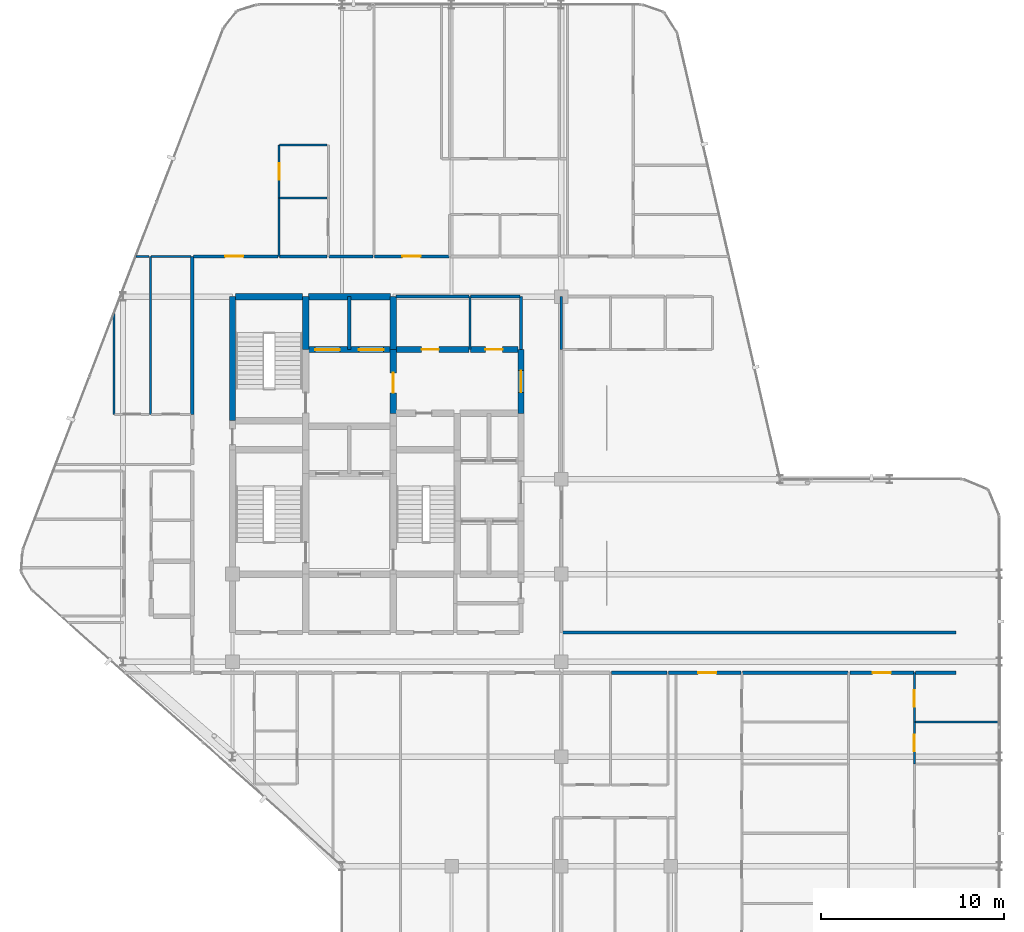
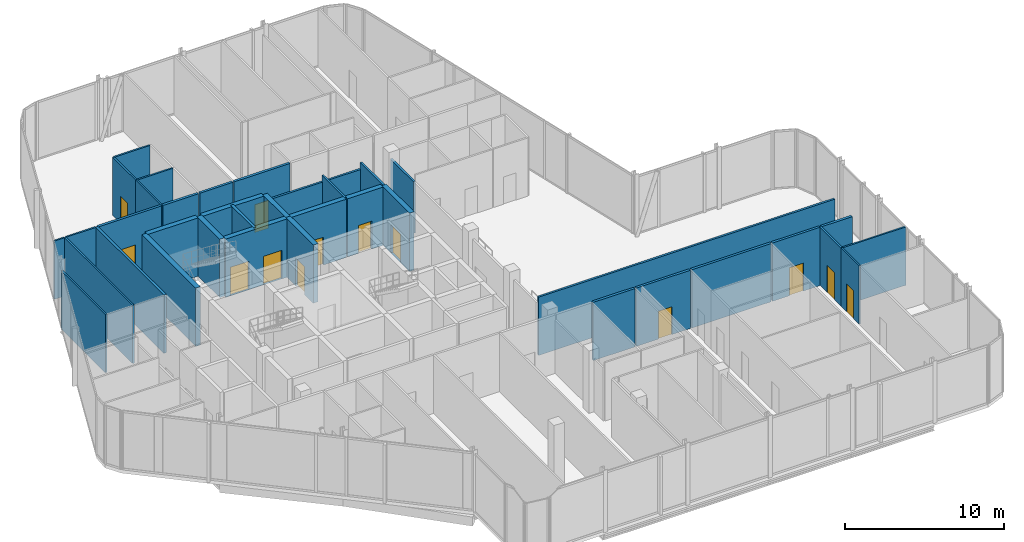
# One storey, part 26 of 29: 38 walls, 13 doors, 13 openings.
"""IFC4 building model written with IfcOpenShell, lengths in metres."""

import ifcopenshell
import ifcopenshell.guid

model = None  # the IFC model being written
_history = None  # IfcOwnerHistory: only IFC2X3 demands one
_inside = {}  # id of a spatial element -> (the spatial element, [elements in it])
_under = {}  # id of a project, library or spatial element -> (it, [spatial elements below it])
_declared = {}  # id of a project -> (the project, [libraries it declares])
_typed = {}  # id of a type object -> (the type object, [elements of that type])
_made_of = {}  # id of a material, layer set ... -> (it, [elements and type objects made of it])


def new_model(schema):
    """Start an empty IFC model of exactly this schema.

    Asked for "IFC4X3", IfcOpenShell would pick the latest addendum, in which some entities
    have other attributes; the version numbers below select the first issue.
    IFC2X3 requires an IfcOwnerHistory on every rooted entity: one is made here for all.
    """
    global model, _history
    if schema == "IFC4X3":
        model = ifcopenshell.file(schema_version=(4, 3, 0, 0))
    else:
        model = ifcopenshell.file(schema=schema)
    _inside.clear()
    _under.clear()
    _declared.clear()
    _typed.clear()
    _made_of.clear()
    _history = None
    if model.schema == "IFC2X3":
        org = make("IfcOrganization", Name="unknown")
        user = make(
            "IfcPersonAndOrganization",
            ThePerson=make("IfcPerson", FamilyName="unknown"),
            TheOrganization=org,
        )
        app = make(
            "IfcApplication",
            ApplicationDeveloper=org,
            Version="unknown",
            ApplicationFullName="unknown",
            ApplicationIdentifier="unknown",
        )
        _history = make(
            "IfcOwnerHistory",
            OwningUser=user,
            OwningApplication=app,
            ChangeAction="ADDED",
            CreationDate=0,
        )
    return model


def make(cls, **values):
    """One entity of the class cls with the attributes given. An attribute that is None is left unset."""
    return model.create_entity(
        cls, **{name: value for name, value in values.items() if value is not None}
    )


def rooted(cls, **values):
    """An entity with a GlobalId (a new one), such as an element, a storey or a relation."""
    return make(cls, GlobalId=ifcopenshell.guid.new(), OwnerHistory=_history, **values)


def si_unit(unit_type, name, prefix=None):
    """IfcSIUnit, for example si_unit("LENGTHUNIT", "METRE", prefix="MILLI")."""
    return make("IfcSIUnit", UnitType=unit_type, Prefix=prefix, Name=name)


def assignment(units):
    """IfcUnitAssignment: the units of a project."""
    return None if units is None else make("IfcUnitAssignment", Units=units)


def point(xyz):
    """IfcCartesianPoint."""
    return None if xyz is None else make("IfcCartesianPoint", Coordinates=xyz)


def direction(xyz):
    """IfcDirection."""
    return None if xyz is None else make("IfcDirection", DirectionRatios=xyz)


def frame(location, z_axis=None, x_axis=None):
    """IfcAxis2Placement3D, a coordinate frame: its origin and axes. An axis left out is left unset."""
    return make(
        "IfcAxis2Placement3D",
        Location=point(location),
        Axis=direction(z_axis),
        RefDirection=direction(x_axis),
    )


def frame_2d(location, x_axis=None):
    """IfcAxis2Placement2D, a coordinate frame in the plane: its origin and x axis."""
    return make(
        "IfcAxis2Placement2D", Location=point(location), RefDirection=direction(x_axis)
    )


def origin():
    """The frame at (0, 0, 0) with its axes left unset."""
    return frame((0.0, 0.0, 0.0))


def place(relative_to, where):
    """IfcLocalPlacement: puts the frame where relative to a parent placement (None: the world)."""
    return make(
        "IfcLocalPlacement", PlacementRelTo=relative_to, RelativePlacement=where
    )


def context(
    kind, dimensions, precision=None, world=None, true_north=None, identifier=None
):
    """IfcGeometricRepresentationContext, for example the 3D "Model" context."""
    return make(
        "IfcGeometricRepresentationContext",
        ContextIdentifier=identifier,
        ContextType=kind,
        CoordinateSpaceDimension=dimensions,
        Precision=precision,
        WorldCoordinateSystem=world,
        TrueNorth=true_north,
    )


def subcontext(parent, identifier, kind, view, scale=None):
    """IfcGeometricRepresentationSubContext, for example "Body" below "Model"."""
    return make(
        "IfcGeometricRepresentationSubContext",
        ContextIdentifier=identifier,
        ContextType=kind,
        ParentContext=parent,
        TargetScale=scale,
        TargetView=view,
    )


def project(units=None, contexts=None):
    """IfcProject with its units and contexts."""
    return rooted(
        "IfcProject",
        Name="project",
        RepresentationContexts=contexts,
        UnitsInContext=assignment(units),
    )


def spatial(cls, under=None, at=None, **own):
    """A site, building, storey or space (cls), placed at a placement, below another one or the project."""
    s = rooted(cls, ObjectPlacement=at, **own)
    if under is not None:
        _under.setdefault(under.id(), (under, []))[1].append(s)
    return s


def profile(cls, at=None, kind="AREA", **sizes):
    """A parametric profile (cls). Its sizes go by their IFC names, for example OverallWidth=200.0."""
    return make(cls, ProfileType=kind, Position=at, **sizes)


def rectangle(**sizes):
    """IfcRectangleProfileDef."""
    return profile("IfcRectangleProfileDef", **sizes)


def extrude(swept, where, along, depth):
    """IfcExtrudedAreaSolid: the profile swept, set in the frame where, extruded along a direction by depth."""
    return make(
        "IfcExtrudedAreaSolid",
        SweptArea=swept,
        Position=where,
        ExtrudedDirection=direction(along),
        Depth=depth,
    )


def shape(context_of_items, identifier, shape_type, items):
    """IfcShapeRepresentation: the items that make up one representation, for example the "Body"."""
    return make(
        "IfcShapeRepresentation",
        ContextOfItems=context_of_items,
        RepresentationIdentifier=identifier,
        RepresentationType=shape_type,
        Items=items,
    )


def material(Name=None, Category=None):
    """IfcMaterial."""
    return make("IfcMaterial", Name=Name, Category=Category)


def layer(
    of_material, thickness, ventilated=None, Name=None, Category=None, Priority=None
):
    """IfcMaterialLayer: one layer of a wall or slab, of a material (None: an air gap)."""
    return make(
        "IfcMaterialLayer",
        Material=of_material,
        LayerThickness=thickness,
        IsVentilated=ventilated,
        Name=Name,
        Category=Category,
        Priority=Priority,
    )


def layer_set(layers, Name=None):
    """IfcMaterialLayerSet."""
    return make("IfcMaterialLayerSet", MaterialLayers=layers, LayerSetName=Name)


def made_of(thing, what):
    """Note that an element or type object is made of a material, layer set ...; save() writes the relation."""
    if what is not None:
        _made_of.setdefault(what.id(), (what, []))[1].append(thing)
    return thing


def type_object(cls, material=None, **own):
    """A type object (cls), such as IfcWallType, which elements share."""
    return made_of(rooted(cls, **own), material)


def element(
    cls,
    number,
    at=None,
    inside=None,
    cuts=None,
    type_object=None,
    material=None,
    context=None,
    identifier="Body",
    shape_type=None,
    held_by="IfcProductDefinitionShape",
    body=None,
    shapes=None,
    **own,
):
    """One element of the class cls, such as IfcWall. Its Tag is "e" and its number.

    at: its placement. inside: the storey or other place that contains it. cuts: it is an
    opening in that element (IfcRelVoidsElement). A single representation is given by context,
    identifier, shape_type and body (its items); several are given by shapes. held_by: the class
    of the entity that holds the representations. save() writes the other relations.
    """
    e = rooted(cls, Tag="e%d" % number, ObjectPlacement=at, **own)
    if body is not None:
        shapes = [shape(context, identifier, shape_type, body)]
    if shapes is not None:
        e.Representation = make(held_by, Representations=shapes)
    if inside is not None:
        _inside.setdefault(inside.id(), (inside, []))[1].append(e)
    if cuts is not None:
        rooted(
            "IfcRelVoidsElement", RelatingBuildingElement=cuts, RelatedOpeningElement=e
        )
    if type_object is not None:
        _typed.setdefault(type_object.id(), (type_object, []))[1].append(e)
    return made_of(e, material)


def fill(opening, filler):
    """IfcRelFillsElement: the door or window that sits in an opening."""
    return rooted(
        "IfcRelFillsElement",
        RelatingOpeningElement=opening,
        RelatedBuildingElement=filler,
    )


def aggregate(whole, parts):
    """IfcRelAggregates: a whole, such as a stair, and the parts it consists of."""
    return rooted("IfcRelAggregates", RelatingObject=whole, RelatedObjects=parts)


def save(model, path):
    """Write the relations noted so far, then the file.

    IfcRelAggregates (storeys below a building ...), IfcRelContainedInSpatialStructure (elements
    in a storey), IfcRelDefinesByType, IfcRelAssociatesMaterial and IfcRelDeclares: one each for
    every whole, place, type object, material and project.
    """
    for whole, parts in _under.values():
        aggregate(whole, parts)
    for where, things in _inside.values():
        rooted(
            "IfcRelContainedInSpatialStructure",
            RelatedElements=things,
            RelatingStructure=where,
        )
    for kind, things in _typed.values():
        rooted("IfcRelDefinesByType", RelatedObjects=things, RelatingType=kind)
    for what, things in _made_of.values():
        rooted("IfcRelAssociatesMaterial", RelatedObjects=things, RelatingMaterial=what)
    for by, libraries in _declared.values():
        rooted("IfcRelDeclares", RelatingContext=by, RelatedDefinitions=libraries)
    model.write(path)


model = new_model("IFC4")

# Units and contexts
model_context = context("Model", 3, precision=1e-05, world=origin(), true_north=direction((0.0, 1.0)))
body_context = subcontext(model_context, "Body", "Model", "MODEL_VIEW")
ifc_project = project(units=[si_unit("LENGTHUNIT", "METRE"), si_unit("AREAUNIT", "SQUARE_METRE"), si_unit("VOLUMEUNIT", "CUBIC_METRE"), si_unit("PLANEANGLEUNIT", "RADIAN"), si_unit("MASSUNIT", "GRAM", prefix="KILO")], contexts=[model_context])

# Site, building, storey
site_placement = place(None, origin())
site = spatial("IfcSite", under=ifc_project, at=site_placement, CompositionType="ELEMENT")
building_placement = place(site_placement, origin())
building = spatial("IfcBuilding", under=site, at=building_placement, Name="Keshet Zoharim Tower", CompositionType="ELEMENT")
storey_placement = place(building_placement, frame((0.0, 0.0, 218.0)))
storey = spatial("IfcBuildingStorey", under=building, at=storey_placement, Name="L54", CompositionType="ELEMENT", Elevation=218.0)

# Walls
ifc_material_1 = material(Name="Gypsum Plasterboard", Category="gypsum")
ifc_layer_1 = layer(ifc_material_1, 0.14990234375)
ifc_layer_set_1 = layer_set([ifc_layer_1], Name="Gypsum Plasterboard")
wall_type_1 = type_object("IfcWallType", Name="WL-CLIN-150", PredefinedType="STANDARD", material=ifc_layer_set_1)
wall_1_placement = place(storey_placement, frame((30.800048828125, 35.0, 0.0), z_axis=(0.0, 0.0, 1.0), x_axis=(0.0, 1.0, 0.0)))
element("IfcWall", 1, at=wall_1_placement, inside=storey, type_object=wall_type_1, Name="L54 Interior Wall 063", PredefinedType="STANDARD", context=body_context, shape_type="SweptSolid", body=[
    extrude(rectangle(XDim=2.89990234375, YDim=0.14990234375, at=frame_2d((1.449951171875, 0.0))), origin(), (0.0, 0.0, 1.0), 4.489990234375),
])
wall_2_placement = place(storey_placement, frame((33.0, 35.0, 0.0), z_axis=(0.0, 0.0, 1.0), x_axis=(0.0, 1.0, 0.0)))
element("IfcWall", 2, at=wall_2_placement, inside=storey, type_object=wall_type_1, Name="L54 Interior Wall 068", PredefinedType="STANDARD", context=body_context, shape_type="SweptSolid", body=[
    extrude(rectangle(XDim=2.89990234375, YDim=0.14990234375, at=frame_2d((1.449951171875, 0.0))), origin(), (0.0, 0.0, 1.0), 3.989990234375),
])
wall_3_placement = place(storey_placement, frame((33.06005859375, 19.5, 0.0), z_axis=(0.0, 0.0, 1.0), x_axis=(1.0, 0.0, 0.0)))
element("IfcWall", 3, at=wall_3_placement, inside=storey, type_object=wall_type_1, Name="L54 Interior Wall 123", PredefinedType="STANDARD", context=body_context, shape_type="SweptSolid", body=[
    extrude(rectangle(XDim=21.579833984375, YDim=0.14990234375, at=frame_2d((10.7900390625, 0.0))), origin(), (0.0, 0.0, 1.0), 4.489990234375),
])
wall_4_placement = place(storey_placement, frame((23.9599609375, 37.89990234375, 0.0), z_axis=(0.0, 0.0, 1.0), x_axis=(1.0, 0.0, 0.0)))
element("IfcWall", 4, at=wall_4_placement, inside=storey, type_object=wall_type_1, Name="L54 Interior Wall 158", PredefinedType="STANDARD", context=body_context, shape_type="SweptSolid", body=[
    extrude(rectangle(XDim=3.9951171875, YDim=0.14990234375, at=frame_2d((1.99755859375, 0.0))), origin(), (0.0, 0.0, 1.0), 3.989990234375),
])
wall_5_placement = place(storey_placement, frame((28.044921875, 37.89990234375, 0.0), z_axis=(0.0, 0.0, 1.0), x_axis=(1.0, 0.0, 0.0)))
element("IfcWall", 5, at=wall_5_placement, inside=storey, type_object=wall_type_1, Name="L54 Interior Wall 159", PredefinedType="STANDARD", context=body_context, shape_type="SweptSolid", body=[
    extrude(rectangle(XDim=2.695068359375, YDim=0.14990234375, at=frame_2d((1.34765625, 0.0))), origin(), (0.0, 0.0, 1.0), 3.989990234375),
])
ifc_material_2 = material(Name="Concrete C60/75", Category="concrete")
ifc_layer_2 = layer(ifc_material_2, 0.35009765625)
ifc_layer_set_2 = layer_set([ifc_layer_2], Name="Concrete C60/75")
wall_type_2 = type_object("IfcWallType", Name="WL-CORE-350", PredefinedType="SHEAR", material=ifc_layer_set_2)
wall_6_placement = place(storey_placement, frame((15.0, 31.10009765625, 0.0), z_axis=(0.0, 0.0, 1.0), x_axis=(0.0, 1.0, 0.0)))
element("IfcWall", 6, at=wall_6_placement, inside=storey, type_object=wall_type_2, Name="L54 Core Shear Wall 016", PredefinedType="SHEAR", context=body_context, shape_type="SweptSolid", body=[
    extrude(rectangle(XDim=6.7998046875, YDim=0.35009765625, at=frame_2d((3.39990234375, 0.0))), origin(), (0.0, 0.0, 1.0), 4.489990234375),
])
wall_7_placement = place(storey_placement, frame((19.0, 35.0, 0.0), z_axis=(0.0, 0.0, 1.0), x_axis=(0.0, 1.0, 0.0)))
element("IfcWall", 7, at=wall_7_placement, inside=storey, type_object=wall_type_2, Name="L54 Core Shear Wall 027", PredefinedType="SHEAR", context=body_context, shape_type="SweptSolid", body=[
    extrude(rectangle(XDim=2.89990234375, YDim=0.35009765625, at=frame_2d((1.449951171875, 0.0))), origin(), (0.0, 0.0, 1.0), 4.489990234375),
])

# Wall, opening, door
wall_8_placement = place(storey_placement, frame((23.800048828125, 31.5, 0.0), z_axis=(0.0, 0.0, 1.0), x_axis=(0.0, 1.0, 0.0)))
wall_8 = element("IfcWall", 8, at=wall_8_placement, inside=storey, type_object=wall_type_2, Name="L54 Core Shear Wall 039", PredefinedType="SHEAR", context=body_context, shape_type="SweptSolid", body=[
    extrude(rectangle(XDim=3.5, YDim=0.35009765625, at=frame_2d((1.75, 0.0))), origin(), (0.0, 0.0, 1.0), 4.489990234375),
])
opening_1_placement = place(wall_8_placement, frame((1.126953125, 0.0, 0.0)))
opening_1 = element("IfcOpeningElement", 9, at=opening_1_placement, cuts=wall_8, Name="Opening D-F611", PredefinedType="OPENING", context=body_context, shape_type="SweptSolid", body=[
    extrude(rectangle(XDim=1.10009765625, YDim=2.14990234375, at=frame_2d((0.550048828125, 1.074951171875))), frame((0.0, 0.18505859375, 0.0), z_axis=(0.0, -1.0, 0.0), x_axis=(1.0, 0.0, 0.0)), (0.0, 0.0, 1.0), 0.3701171875),
])
ifc_material_3 = material(Name="Hardwood Timber", Category="wood")
door_type_1 = type_object("IfcDoorType", Name="DR-FD60-110", OperationType="NOTDEFINED", PredefinedType="DOOR", material=ifc_material_3)
door_1_placement = place(opening_1_placement, origin())
door_1 = element("IfcDoor", 10, at=door_1_placement, inside=storey, type_object=door_type_1, Name="L54 Firefighting Lobby Fire Door", OperationType="SINGLE_SWING_RIGHT", OverallHeight=2.14990234375, OverallWidth=1.10009765625, PredefinedType="DOOR", context=body_context, shape_type="SweptSolid", body=[
    extrude(rectangle(XDim=1.10009765625, YDim=2.14990234375, at=frame_2d((0.550048828125, 1.074951171875))), frame((0.0, 0.02490234375, 0.0), z_axis=(0.0, -1.0, 0.0), x_axis=(1.0, 0.0, 0.0)), (0.0, 0.0, 1.0), 0.050048828125),
])
fill(opening_1, door_1)

# Wall
wall_9_placement = place(storey_placement, frame((23.800048828125, 35.0, 0.0), z_axis=(0.0, 0.0, 1.0), x_axis=(0.0, 1.0, 0.0)))
element("IfcWall", 11, at=wall_9_placement, inside=storey, type_object=wall_type_2, Name="L54 Core Shear Wall 040", PredefinedType="SHEAR", context=body_context, shape_type="SweptSolid", body=[
    extrude(rectangle(XDim=2.89990234375, YDim=0.35009765625, at=frame_2d((1.449951171875, 0.0))), origin(), (0.0, 0.0, 1.0), 4.489990234375),
])

# Wall, opening, door
wall_10_placement = place(storey_placement, frame((30.800048828125, 31.5, 0.0), z_axis=(0.0, 0.0, 1.0), x_axis=(0.0, 1.0, 0.0)))
wall_10 = element("IfcWall", 12, at=wall_10_placement, inside=storey, type_object=wall_type_2, Name="L54 Core Shear Wall 062", PredefinedType="SHEAR", context=body_context, shape_type="SweptSolid", body=[
    extrude(rectangle(XDim=3.5, YDim=0.35009765625, at=frame_2d((1.75, 0.0))), origin(), (0.0, 0.0, 1.0), 4.489990234375),
])
opening_2_placement = place(wall_10_placement, frame((1.14990234375, 0.0, 0.0)))
opening_2 = element("IfcOpeningElement", 13, at=opening_2_placement, cuts=wall_10, Name="Opening D-F612", PredefinedType="OPENING", context=body_context, shape_type="SweptSolid", body=[
    extrude(rectangle(XDim=1.199951171875, YDim=2.199951171875, at=frame_2d((0.60009765625, 1.10009765625))), frame((0.0, 0.18505859375, 0.0), z_axis=(0.0, -1.0, 0.0), x_axis=(1.0, 0.0, 0.0)), (0.0, 0.0, 1.0), 0.3701171875),
])
door_type_2 = type_object("IfcDoorType", Name="DR-FD60-120", OperationType="NOTDEFINED", PredefinedType="DOOR", material=ifc_material_3)
door_2_placement = place(opening_2_placement, origin())
door_2 = element("IfcDoor", 14, at=door_2_placement, inside=storey, type_object=door_type_2, Name="L54 North Lift Lobby East Fire Door", OperationType="SINGLE_SWING_LEFT", OverallHeight=2.199951171875, OverallWidth=1.199951171875, PredefinedType="DOOR", context=body_context, shape_type="SweptSolid", body=[
    extrude(rectangle(XDim=1.199951171875, YDim=2.199951171875, at=frame_2d((0.60009765625, 1.10009765625))), frame((0.0, 0.02490234375, 0.0), z_axis=(0.0, -1.0, 0.0), x_axis=(1.0, 0.0, 0.0)), (0.0, 0.0, 1.0), 0.050048828125),
])
fill(opening_2, door_2)

# Wall, openings, doors
wall_11_placement = place(storey_placement, frame((19.159912109375, 35.0, 0.0), z_axis=(0.0, 0.0, 1.0), x_axis=(1.0, 0.0, 0.0)))
wall_11 = element("IfcWall", 15, at=wall_11_placement, inside=storey, type_object=wall_type_2, Name="L54 Core Shear Wall 151", PredefinedType="SHEAR", context=body_context, shape_type="SweptSolid", body=[
    extrude(rectangle(XDim=4.47998046875, YDim=0.35009765625, at=frame_2d((2.239990234375, 0.0))), origin(), (0.0, 0.0, 1.0), 4.489990234375),
])
opening_3_placement = place(wall_11_placement, frame((0.364990234375, 0.0, 0.0)))
opening_3 = element("IfcOpeningElement", 16, at=opening_3_placement, cuts=wall_11, Name="Opening LD-02", PredefinedType="OPENING", context=body_context, shape_type="SweptSolid", body=[
    extrude(rectangle(XDim=1.35009765625, YDim=2.199951171875, at=frame_2d((0.675048828125, 1.10009765625))), frame((0.0, 0.18505859375, 0.0), z_axis=(0.0, -1.0, 0.0), x_axis=(1.0, 0.0, 0.0)), (0.0, 0.0, 1.0), 0.3701171875),
])
opening_4_placement = place(wall_11_placement, frame((2.764892578125, 0.0, 0.0)))
opening_4 = element("IfcOpeningElement", 17, at=opening_4_placement, cuts=wall_11, Name="Opening LD-02", PredefinedType="OPENING", context=body_context, shape_type="SweptSolid", body=[
    extrude(rectangle(XDim=1.35009765625, YDim=2.199951171875, at=frame_2d((0.675048828125, 1.10009765625))), frame((0.0, 0.18505859375, 0.0), z_axis=(0.0, -1.0, 0.0), x_axis=(1.0, 0.0, 0.0)), (0.0, 0.0, 1.0), 0.3701171875),
])
ifc_material_4 = material(Name="Steel S355", Category="steel")
door_type_3 = type_object("IfcDoorType", Name="DR-LD02-135", OperationType="DOUBLE_DOOR_SLIDING", PredefinedType="DOOR", material=ifc_material_4)
door_3_placement = place(opening_3_placement, origin())
door_3 = element("IfcDoor", 18, at=door_3_placement, inside=storey, type_object=door_type_3, Name="L54 Firefighting Lift Landing Door FF-01", OperationType="DOUBLE_DOOR_SLIDING", OverallHeight=2.199951171875, OverallWidth=1.35009765625, PredefinedType="DOOR", context=body_context, shape_type="SweptSolid", body=[
    extrude(rectangle(XDim=1.35009765625, YDim=2.199951171875, at=frame_2d((0.675048828125, 1.10009765625))), frame((0.0, 0.02490234375, 0.0), z_axis=(0.0, -1.0, 0.0), x_axis=(1.0, 0.0, 0.0)), (0.0, 0.0, 1.0), 0.050048828125),
])
fill(opening_3, door_3)
door_4_placement = place(opening_4_placement, origin())
door_4 = element("IfcDoor", 19, at=door_4_placement, inside=storey, type_object=door_type_3, Name="L54 Firefighting Lift Landing Door FF-02", OperationType="DOUBLE_DOOR_SLIDING", OverallHeight=2.199951171875, OverallWidth=1.35009765625, PredefinedType="DOOR", context=body_context, shape_type="SweptSolid", body=[
    extrude(rectangle(XDim=1.35009765625, YDim=2.199951171875, at=frame_2d((0.675048828125, 1.10009765625))), frame((0.0, 0.02490234375, 0.0), z_axis=(0.0, -1.0, 0.0), x_axis=(1.0, 0.0, 0.0)), (0.0, 0.0, 1.0), 0.050048828125),
])
fill(opening_4, door_4)

# Wall, opening, door
wall_12_placement = place(storey_placement, frame((23.9599609375, 35.0, 0.0), z_axis=(0.0, 0.0, 1.0), x_axis=(1.0, 0.0, 0.0)))
wall_12 = element("IfcWall", 20, at=wall_12_placement, inside=storey, type_object=wall_type_2, Name="L54 Core Shear Wall 152", PredefinedType="SHEAR", context=body_context, shape_type="SweptSolid", body=[
    extrude(rectangle(XDim=3.9951171875, YDim=0.35009765625, at=frame_2d((1.99755859375, 0.0))), origin(), (0.0, 0.0, 1.0), 4.489990234375),
])
opening_5_placement = place(wall_12_placement, frame((1.39306640625, 0.0, 0.0)))
opening_5 = element("IfcOpeningElement", 21, at=opening_5_placement, cuts=wall_12, Name="Opening D-F695", PredefinedType="OPENING", context=body_context, shape_type="SweptSolid", body=[
    extrude(rectangle(XDim=0.949951171875, YDim=2.14990234375, at=frame_2d((0.47509765625, 1.074951171875))), frame((0.0, 0.18505859375, 0.0), z_axis=(0.0, -1.0, 0.0), x_axis=(1.0, 0.0, 0.0)), (0.0, 0.0, 1.0), 0.3701171875),
])
door_type_4 = type_object("IfcDoorType", Name="DR-FD60-095", OperationType="NOTDEFINED", PredefinedType="DOOR", material=ifc_material_3)
door_5_placement = place(opening_5_placement, frame((0.949951171875, 0.0, 0.0), z_axis=(0.0, 0.0, 1.0), x_axis=(-1.0, 0.0, 0.0)))
door_5 = element("IfcDoor", 22, at=door_5_placement, inside=storey, type_object=door_type_4, Name="L54 Laundry Room Door", OperationType="SINGLE_SWING_RIGHT", OverallHeight=2.14990234375, OverallWidth=0.949951171875, PredefinedType="DOOR", context=body_context, shape_type="SweptSolid", body=[
    extrude(rectangle(XDim=0.949951171875, YDim=2.14990234375, at=frame_2d((0.47509765625, 1.074951171875))), frame((0.0, 0.02490234375, 0.0), z_axis=(0.0, -1.0, 0.0), x_axis=(1.0, 0.0, 0.0)), (0.0, 0.0, 1.0), 0.050048828125),
])
fill(opening_5, door_5)

wall_13_placement = place(storey_placement, frame((28.044921875, 35.0, 0.0), z_axis=(0.0, 0.0, 1.0), x_axis=(1.0, 0.0, 0.0)))
wall_13 = element("IfcWall", 23, at=wall_13_placement, inside=storey, type_object=wall_type_2, Name="L54 Core Shear Wall 153", PredefinedType="SHEAR", context=body_context, shape_type="SweptSolid", body=[
    extrude(rectangle(XDim=2.594970703125, YDim=0.35009765625, at=frame_2d((1.29736328125, 0.0))), origin(), (0.0, 0.0, 1.0), 4.489990234375),
])
opening_6_placement = place(wall_13_placement, frame((0.805908203125, 0.0, 0.0)))
opening_6 = element("IfcOpeningElement", 24, at=opening_6_placement, cuts=wall_13, Name="Opening D-F695", PredefinedType="OPENING", context=body_context, shape_type="SweptSolid", body=[
    extrude(rectangle(XDim=0.949951171875, YDim=2.14990234375, at=frame_2d((0.47509765625, 1.074951171875))), frame((0.0, 0.18505859375, 0.0), z_axis=(0.0, -1.0, 0.0), x_axis=(1.0, 0.0, 0.0)), (0.0, 0.0, 1.0), 0.3701171875),
])
door_6_placement = place(opening_6_placement, frame((0.949951171875, 0.0, 0.0), z_axis=(0.0, 0.0, 1.0), x_axis=(-1.0, 0.0, 0.0)))
door_6 = element("IfcDoor", 25, at=door_6_placement, inside=storey, type_object=door_type_4, Name="L54 Quiet Study Room Door", OperationType="SINGLE_SWING_LEFT", OverallHeight=2.14990234375, OverallWidth=0.949951171875, PredefinedType="DOOR", context=body_context, shape_type="SweptSolid", body=[
    extrude(rectangle(XDim=0.949951171875, YDim=2.14990234375, at=frame_2d((0.47509765625, 1.074951171875))), frame((0.0, 0.02490234375, 0.0), z_axis=(0.0, -1.0, 0.0), x_axis=(1.0, 0.0, 0.0)), (0.0, 0.0, 1.0), 0.050048828125),
])
fill(opening_6, door_6)

# Walls
wall_14_placement = place(storey_placement, frame((15.159912109375, 37.89990234375, 0.0), z_axis=(0.0, 0.0, 1.0), x_axis=(1.0, 0.0, 0.0)))
element("IfcWall", 26, at=wall_14_placement, inside=storey, type_object=wall_type_2, Name="L54 Core Shear Wall 156", PredefinedType="SHEAR", context=body_context, shape_type="SweptSolid", body=[
    extrude(rectangle(XDim=3.68017578125, YDim=0.35009765625, at=frame_2d((1.840087890625, 0.0))), origin(), (0.0, 0.0, 1.0), 4.489990234375),
])
wall_15_placement = place(storey_placement, frame((19.159912109375, 37.89990234375, 0.0), z_axis=(0.0, 0.0, 1.0), x_axis=(1.0, 0.0, 0.0)))
element("IfcWall", 27, at=wall_15_placement, inside=storey, type_object=wall_type_2, Name="L54 Core Shear Wall 157", PredefinedType="SHEAR", context=body_context, shape_type="SweptSolid", body=[
    extrude(rectangle(XDim=4.47998046875, YDim=0.35009765625, at=frame_2d((2.239990234375, 0.0))), origin(), (0.0, 0.0, 1.0), 4.489990234375),
])
ifc_layer_3 = layer(ifc_material_1, 0.179931640625)
ifc_layer_set_3 = layer_set([ifc_layer_3], Name="Gypsum Plasterboard")
wall_type_3 = type_object("IfcWallType", Name="WL-CORR-180", PredefinedType="STANDARD", material=ifc_layer_set_3)
wall_16_placement = place(storey_placement, frame((12.800048828125, 31.449951171875, 0.0), z_axis=(0.0, 0.0, 1.0), x_axis=(0.0, 1.0, 0.0)))
element("IfcWall", 28, at=wall_16_placement, inside=storey, type_object=wall_type_3, Name="L54 Interior Wall 012", PredefinedType="STANDARD", context=body_context, shape_type="SweptSolid", body=[
    extrude(rectangle(XDim=8.650146484375, YDim=0.179931640625, at=frame_2d((4.3251953125, 0.0))), origin(), (0.0, 0.0, 1.0), 4.489990234375),
])
wall_17_placement = place(storey_placement, frame((35.762939453125, 17.300048828125, 0.0), z_axis=(0.0, 0.0, 1.0), x_axis=(1.0, 0.0, 0.0)))
element("IfcWall", 29, at=wall_17_placement, inside=storey, type_object=wall_type_3, Name="L54 Interior Wall 114", PredefinedType="STANDARD", context=body_context, shape_type="SweptSolid", body=[
    extrude(rectangle(XDim=3.0419921875, YDim=0.179931640625, at=frame_2d((1.52099609375, 0.0))), origin(), (0.0, 0.0, 1.0), 4.489990234375),
])

# Wall, opening, door
wall_18_placement = place(storey_placement, frame((38.89501953125, 17.300048828125, 0.0), z_axis=(0.0, 0.0, 1.0), x_axis=(1.0, 0.0, 0.0)))
wall_18 = element("IfcWall", 30, at=wall_18_placement, inside=storey, type_object=wall_type_3, Name="L54 Interior Wall 115", PredefinedType="STANDARD", context=body_context, shape_type="SweptSolid", body=[
    extrude(rectangle(XDim=3.9599609375, YDim=0.179931640625, at=frame_2d((1.97998046875, 0.0))), origin(), (0.0, 0.0, 1.0), 4.489990234375),
])
opening_7_placement = place(wall_18_placement, frame((1.60888671875, 0.0, 0.0)))
opening_7 = element("IfcOpeningElement", 31, at=opening_7_placement, cuts=wall_18, Name="Opening D-F310", PredefinedType="OPENING", context=body_context, shape_type="SweptSolid", body=[
    extrude(rectangle(XDim=1.0, YDim=2.14990234375, at=frame_2d((0.5, 1.074951171875))), frame((0.0, 0.10009765625, 0.0), z_axis=(0.0, -1.0, 0.0), x_axis=(1.0, 0.0, 0.0)), (0.0, 0.0, 1.0), 0.199951171875),
])
door_type_5 = type_object("IfcDoorType", Name="DR-FD30-100", OperationType="NOTDEFINED", PredefinedType="DOOR", material=ifc_material_3)
door_7_placement = place(opening_7_placement, origin())
door_7 = element("IfcDoor", 32, at=door_7_placement, inside=storey, type_object=door_type_5, Name="Apartment 5403 Entrance Door", OperationType="SINGLE_SWING_RIGHT", OverallHeight=2.14990234375, OverallWidth=1.0, PredefinedType="DOOR", context=body_context, shape_type="SweptSolid", body=[
    extrude(rectangle(XDim=1.0, YDim=2.14990234375, at=frame_2d((0.5, 1.074951171875))), frame((0.0, 0.02490234375, 0.0), z_axis=(0.0, -1.0, 0.0), x_axis=(1.0, 0.0, 0.0)), (0.0, 0.0, 1.0), 0.050048828125),
])
fill(opening_7, door_7)

# Wall
wall_19_placement = place(storey_placement, frame((42.945068359375, 17.300048828125, 0.0), z_axis=(0.0, 0.0, 1.0), x_axis=(1.0, 0.0, 0.0)))
element("IfcWall", 33, at=wall_19_placement, inside=storey, type_object=wall_type_3, Name="L54 Interior Wall 116", PredefinedType="STANDARD", context=body_context, shape_type="SweptSolid", body=[
    extrude(rectangle(XDim=5.780029296875, YDim=0.179931640625, at=frame_2d((2.89013671875, 0.0))), origin(), (0.0, 0.0, 1.0), 4.489990234375),
])

# Wall, opening, door
wall_20_placement = place(storey_placement, frame((48.81494140625, 17.300048828125, 0.0), z_axis=(0.0, 0.0, 1.0), x_axis=(1.0, 0.0, 0.0)))
wall_20 = element("IfcWall", 34, at=wall_20_placement, inside=storey, type_object=wall_type_3, Name="L54 Interior Wall 117", PredefinedType="STANDARD", context=body_context, shape_type="SweptSolid", body=[
    extrude(rectangle(XDim=3.510009765625, YDim=0.179931640625, at=frame_2d((1.7548828125, 0.0))), origin(), (0.0, 0.0, 1.0), 4.489990234375),
])
opening_8_placement = place(wall_20_placement, frame((1.2548828125, 0.0, 0.0)))
opening_8 = element("IfcOpeningElement", 35, at=opening_8_placement, cuts=wall_20, Name="Opening D-F310", PredefinedType="OPENING", context=body_context, shape_type="SweptSolid", body=[
    extrude(rectangle(XDim=1.0, YDim=2.14990234375, at=frame_2d((0.5, 1.074951171875))), frame((0.0, 0.10009765625, 0.0), z_axis=(0.0, -1.0, 0.0), x_axis=(1.0, 0.0, 0.0)), (0.0, 0.0, 1.0), 0.199951171875),
])
door_8_placement = place(opening_8_placement, origin())
door_8 = element("IfcDoor", 36, at=door_8_placement, inside=storey, type_object=door_type_5, Name="Apartment 5404 Entrance Door", OperationType="SINGLE_SWING_LEFT", OverallHeight=2.14990234375, OverallWidth=1.0, PredefinedType="DOOR", context=body_context, shape_type="SweptSolid", body=[
    extrude(rectangle(XDim=1.0, YDim=2.14990234375, at=frame_2d((0.5, 1.074951171875))), frame((0.0, 0.02490234375, 0.0), z_axis=(0.0, -1.0, 0.0), x_axis=(1.0, 0.0, 0.0)), (0.0, 0.0, 1.0), 0.050048828125),
])
fill(opening_8, door_8)

# Wall
wall_21_placement = place(storey_placement, frame((52.4150390625, 17.300048828125, 0.0), z_axis=(0.0, 0.0, 1.0), x_axis=(1.0, 0.0, 0.0)))
element("IfcWall", 37, at=wall_21_placement, inside=storey, type_object=wall_type_3, Name="L54 Interior Wall 118", PredefinedType="STANDARD", context=body_context, shape_type="SweptSolid", body=[
    extrude(rectangle(XDim=2.224853515625, YDim=0.179931640625, at=frame_2d((1.1123046875, 0.0))), origin(), (0.0, 0.0, 1.0), 4.489990234375),
])

# Wall, opening, door
wall_22_placement = place(storey_placement, frame((12.875, 40.10009765625, 0.0), z_axis=(0.0, 0.0, 1.0), x_axis=(1.0, 0.0, 0.0)))
wall_22 = element("IfcWall", 38, at=wall_22_placement, inside=storey, type_object=wall_type_3, Name="L54 Interior Wall 165", PredefinedType="STANDARD", context=body_context, shape_type="SweptSolid", body=[
    extrude(rectangle(XDim=4.610107421875, YDim=0.179931640625, at=frame_2d((2.30517578125, 0.0))), origin(), (0.0, 0.0, 1.0), 4.489990234375),
])
opening_9_placement = place(wall_22_placement, frame((1.719970703125, 0.0, 0.0)))
opening_9 = element("IfcOpeningElement", 39, at=opening_9_placement, cuts=wall_22, Name="Opening D-F310", PredefinedType="OPENING", context=body_context, shape_type="SweptSolid", body=[
    extrude(rectangle(XDim=1.0, YDim=2.14990234375, at=frame_2d((0.5, 1.074951171875))), frame((0.0, 0.10009765625, 0.0), z_axis=(0.0, -1.0, 0.0), x_axis=(1.0, 0.0, 0.0)), (0.0, 0.0, 1.0), 0.199951171875),
])
door_9_placement = place(opening_9_placement, origin())
door_9 = element("IfcDoor", 40, at=door_9_placement, inside=storey, type_object=door_type_5, Name="Apartment 5405 Entrance Door", OperationType="SINGLE_SWING_LEFT", OverallHeight=2.14990234375, OverallWidth=1.0, PredefinedType="DOOR", context=body_context, shape_type="SweptSolid", body=[
    extrude(rectangle(XDim=1.0, YDim=2.14990234375, at=frame_2d((0.5, 1.074951171875))), frame((0.0, 0.02490234375, 0.0), z_axis=(0.0, -1.0, 0.0), x_axis=(1.0, 0.0, 0.0)), (0.0, 0.0, 1.0), 0.050048828125),
])
fill(opening_9, door_9)

# Walls
wall_23_placement = place(storey_placement, frame((17.574951171875, 40.10009765625, 0.0), z_axis=(0.0, 0.0, 1.0), x_axis=(1.0, 0.0, 0.0)))
element("IfcWall", 41, at=wall_23_placement, inside=storey, type_object=wall_type_3, Name="L54 Interior Wall 166", PredefinedType="STANDARD", context=body_context, shape_type="SweptSolid", body=[
    extrude(rectangle(XDim=2.610107421875, YDim=0.179931640625, at=frame_2d((1.30517578125, 0.0))), origin(), (0.0, 0.0, 1.0), 4.489990234375),
])
wall_24_placement = place(storey_placement, frame((20.27490234375, 40.10009765625, 0.0), z_axis=(0.0, 0.0, 1.0), x_axis=(1.0, 0.0, 0.0)))
element("IfcWall", 42, at=wall_24_placement, inside=storey, type_object=wall_type_3, Name="L54 Interior Wall 167", PredefinedType="STANDARD", context=body_context, shape_type="SweptSolid", body=[
    extrude(rectangle(XDim=2.41015625, YDim=0.179931640625, at=frame_2d((1.205078125, 0.0))), origin(), (0.0, 0.0, 1.0), 4.489990234375),
])

# Wall, opening, door
wall_25_placement = place(storey_placement, frame((22.77490234375, 40.10009765625, 0.0), z_axis=(0.0, 0.0, 1.0), x_axis=(1.0, 0.0, 0.0)))
wall_25 = element("IfcWall", 43, at=wall_25_placement, inside=storey, type_object=wall_type_3, Name="L54 Interior Wall 168", PredefinedType="STANDARD", context=body_context, shape_type="SweptSolid", body=[
    extrude(rectangle(XDim=4.070068359375, YDim=0.179931640625, at=frame_2d((2.03515625, 0.0))), origin(), (0.0, 0.0, 1.0), 4.489990234375),
])
opening_10_placement = place(wall_25_placement, frame((1.534912109375, 0.0, 0.0)))
opening_10 = element("IfcOpeningElement", 44, at=opening_10_placement, cuts=wall_25, Name="Opening D-F310", PredefinedType="OPENING", context=body_context, shape_type="SweptSolid", body=[
    extrude(rectangle(XDim=1.0, YDim=2.14990234375, at=frame_2d((0.5, 1.074951171875))), frame((0.0, 0.10009765625, 0.0), z_axis=(0.0, -1.0, 0.0), x_axis=(1.0, 0.0, 0.0)), (0.0, 0.0, 1.0), 0.199951171875),
])
door_10_placement = place(opening_10_placement, origin())
door_10 = element("IfcDoor", 45, at=door_10_placement, inside=storey, type_object=door_type_5, Name="Apartment 5406 Entrance Door", OperationType="SINGLE_SWING_RIGHT", OverallHeight=2.14990234375, OverallWidth=1.0, PredefinedType="DOOR", context=body_context, shape_type="SweptSolid", body=[
    extrude(rectangle(XDim=1.0, YDim=2.14990234375, at=frame_2d((0.5, 1.074951171875))), frame((0.0, 0.02490234375, 0.0), z_axis=(0.0, -1.0, 0.0), x_axis=(1.0, 0.0, 0.0)), (0.0, 0.0, 1.0), 0.050048828125),
])
fill(opening_10, door_10)

# Walls
ifc_material_5 = material(Name="Concrete C50/60", Category="concrete")
ifc_layer_4 = layer(ifc_material_5, 0.199951171875)
ifc_layer_set_4 = layer_set([ifc_layer_4], Name="Concrete C50/60")
wall_type_4 = type_object("IfcWallType", Name="WL-FIRE-200", PredefinedType="STANDARD", material=ifc_layer_set_4)
wall_26_placement = place(storey_placement, frame((21.39990234375, 35.0, 0.0), z_axis=(0.0, 0.0, 1.0), x_axis=(0.0, 1.0, 0.0)))
element("IfcWall", 46, at=wall_26_placement, inside=storey, type_object=wall_type_4, Name="L54 Interior Wall 032", PredefinedType="STANDARD", context=body_context, shape_type="SweptSolid", body=[
    extrude(rectangle(XDim=2.89990234375, YDim=0.199951171875, at=frame_2d((1.449951171875, 0.0))), origin(), (0.0, 0.0, 1.0), 4.489990234375),
])
ifc_layer_5 = layer(ifc_material_1, 0.1201171875)
ifc_layer_set_5 = layer_set([ifc_layer_5], Name="Gypsum Plasterboard")
wall_type_5 = type_object("IfcWallType", Name="WL-PART-120", PredefinedType="PARTITIONING", material=ifc_layer_set_5)
wall_27_placement = place(storey_placement, frame((8.5, 31.449951171875, 0.0), z_axis=(0.0, 0.0, 1.0), x_axis=(0.0, 1.0, 0.0)))
element("IfcWall", 47, at=wall_27_placement, inside=storey, type_object=wall_type_5, Name="L54 Interior Wall 001", PredefinedType="PARTITIONING", context=body_context, shape_type="SweptSolid", body=[
    extrude(rectangle(XDim=5.5400390625, YDim=0.1201171875, at=frame_2d((2.77001953125, 0.0))), origin(), (0.0, 0.0, 1.0), 4.489990234375),
])
wall_28_placement = place(storey_placement, frame((17.550048828125, 40.10009765625, 0.0), z_axis=(0.0, 0.0, 1.0), x_axis=(0.0, 1.0, 0.0)))
element("IfcWall", 48, at=wall_28_placement, inside=storey, type_object=wall_type_5, Name="L54 Interior Wall 019", PredefinedType="PARTITIONING", context=body_context, shape_type="SweptSolid", body=[
    extrude(rectangle(XDim=3.199951171875, YDim=0.1201171875, at=frame_2d((1.60009765625, 0.0))), origin(), (0.0, 0.0, 1.0), 4.489990234375),
])
wall_29_placement = place(storey_placement, frame((28.0, 35.0, 0.0), z_axis=(0.0, 0.0, 1.0), x_axis=(0.0, 1.0, 0.0)))
element("IfcWall", 49, at=wall_29_placement, inside=storey, type_object=wall_type_5, Name="L54 Interior Wall 051", PredefinedType="PARTITIONING", context=body_context, shape_type="SweptSolid", body=[
    extrude(rectangle(XDim=2.89990234375, YDim=0.1201171875, at=frame_2d((1.449951171875, 0.0))), origin(), (0.0, 0.0, 1.0), 4.489990234375),
])

# Wall, opening, door
wall_30_placement = place(storey_placement, frame((52.35009765625, 12.300048828125, 0.0), z_axis=(0.0, 0.0, 1.0), x_axis=(0.0, 1.0, 0.0)))
wall_30 = element("IfcWall", 50, at=wall_30_placement, inside=storey, type_object=wall_type_5, Name="L54 Interior Wall 090", PredefinedType="PARTITIONING", context=body_context, shape_type="SweptSolid", body=[
    extrude(rectangle(XDim=2.300048828125, YDim=0.1201171875, at=frame_2d((1.14990234375, 0.0))), origin(), (0.0, 0.0, 1.0), 4.489990234375),
])
opening_11_placement = place(wall_30_placement, frame((0.699951171875, 0.0, 0.0)))
opening_11 = element("IfcOpeningElement", 51, at=opening_11_placement, cuts=wall_30, Name="Opening D-IN90", PredefinedType="OPENING", context=body_context, shape_type="SweptSolid", body=[
    extrude(rectangle(XDim=0.89990234375, YDim=2.14990234375, at=frame_2d((0.449951171875, 1.074951171875))), frame((0.0, 0.070068359375, 0.0), z_axis=(0.0, -1.0, 0.0), x_axis=(1.0, 0.0, 0.0)), (0.0, 0.0, 1.0), 0.14013671875),
])
door_type_6 = type_object("IfcDoorType", Name="DR-INT-090", OperationType="NOTDEFINED", PredefinedType="DOOR", material=ifc_material_3)
door_11_placement = place(opening_11_placement, origin())
door_11 = element("IfcDoor", 52, at=door_11_placement, inside=storey, type_object=door_type_6, Name="Apartment 5404 Kitchen Door", OperationType="SINGLE_SWING_RIGHT", OverallHeight=2.14990234375, OverallWidth=0.89990234375, PredefinedType="DOOR", context=body_context, shape_type="SweptSolid", body=[
    extrude(rectangle(XDim=0.89990234375, YDim=2.14990234375, at=frame_2d((0.449951171875, 1.074951171875))), frame((0.0, 0.02490234375, 0.0), z_axis=(0.0, -1.0, 0.0), x_axis=(1.0, 0.0, 0.0)), (0.0, 0.0, 1.0), 0.050048828125),
])
fill(opening_11, door_11)

# Walls
wall_31_placement = place(storey_placement, frame((9.701904296875, 40.10009765625, 0.0), z_axis=(0.0, 0.0, 1.0), x_axis=(1.0, 0.0, 0.0)))
element("IfcWall", 53, at=wall_31_placement, inside=storey, type_object=wall_type_5, Name="L54 Interior Wall 163", PredefinedType="PARTITIONING", context=body_context, shape_type="SweptSolid", body=[
    extrude(rectangle(XDim=0.731201171875, YDim=0.1201171875, at=frame_2d((0.36572265625, 0.0))), origin(), (0.0, 0.0, 1.0), 4.489990234375),
])
ifc_layer_6 = layer(ifc_material_1, 0.1201171875)
ifc_layer_set_6 = layer_set([ifc_layer_6], Name="Gypsum Plasterboard")
wall_type_6 = type_object("IfcWallType", Name="WL-WET-120", PredefinedType="PARTITIONING", material=ifc_layer_set_6)
wall_32_placement = place(storey_placement, frame((10.5, 31.449951171875, 0.0), z_axis=(0.0, 0.0, 1.0), x_axis=(0.0, 1.0, 0.0)))
element("IfcWall", 54, at=wall_32_placement, inside=storey, type_object=wall_type_6, Name="L54 Interior Wall 003", PredefinedType="PARTITIONING", context=body_context, shape_type="SweptSolid", body=[
    extrude(rectangle(XDim=8.650146484375, YDim=0.1201171875, at=frame_2d((4.3251953125, 0.0))), origin(), (0.0, 0.0, 1.0), 4.489990234375),
])

# Wall, opening, door
wall_33_placement = place(storey_placement, frame((17.550048828125, 43.300048828125, 0.0), z_axis=(0.0, 0.0, 1.0), x_axis=(0.0, 1.0, 0.0)))
wall_33 = element("IfcWall", 55, at=wall_33_placement, inside=storey, type_object=wall_type_6, Name="L54 Interior Wall 020", PredefinedType="PARTITIONING", context=body_context, shape_type="SweptSolid", body=[
    extrude(rectangle(XDim=2.89990234375, YDim=0.1201171875, at=frame_2d((1.449951171875, 0.0))), origin(), (0.0, 0.0, 1.0), 4.489990234375),
])
opening_12_placement = place(wall_33_placement, frame((1.0, 0.0, 0.0)))
opening_12 = element("IfcOpeningElement", 56, at=opening_12_placement, cuts=wall_33, Name="Opening D-WT90", PredefinedType="OPENING", context=body_context, shape_type="SweptSolid", body=[
    extrude(rectangle(XDim=0.89990234375, YDim=2.10009765625, at=frame_2d((0.449951171875, 1.050048828125))), frame((0.0, 0.070068359375, 0.0), z_axis=(0.0, -1.0, 0.0), x_axis=(1.0, 0.0, 0.0)), (0.0, 0.0, 1.0), 0.14013671875),
])
door_type_7 = type_object("IfcDoorType", Name="DR-WET-090", OperationType="NOTDEFINED", PredefinedType="DOOR", material=ifc_material_3)
door_12_placement = place(opening_12_placement, origin())
door_12 = element("IfcDoor", 57, at=door_12_placement, inside=storey, type_object=door_type_7, Name="Apartment 5405 Bathroom Door", OperationType="SINGLE_SWING_RIGHT", OverallHeight=2.10009765625, OverallWidth=0.89990234375, PredefinedType="DOOR", context=body_context, shape_type="SweptSolid", body=[
    extrude(rectangle(XDim=0.89990234375, YDim=2.10009765625, at=frame_2d((0.449951171875, 1.050048828125))), frame((0.0, 0.02490234375, 0.0), z_axis=(0.0, -1.0, 0.0), x_axis=(1.0, 0.0, 0.0)), (0.0, 0.0, 1.0), 0.050048828125),
])
fill(opening_12, door_12)

wall_34_placement = place(storey_placement, frame((52.35009765625, 14.60009765625, 0.0), z_axis=(0.0, 0.0, 1.0), x_axis=(0.0, 1.0, 0.0)))
wall_34 = element("IfcWall", 58, at=wall_34_placement, inside=storey, type_object=wall_type_6, Name="L54 Interior Wall 091", PredefinedType="PARTITIONING", context=body_context, shape_type="SweptSolid", body=[
    extrude(rectangle(XDim=2.699951171875, YDim=0.1201171875, at=frame_2d((1.35009765625, 0.0))), origin(), (0.0, 0.0, 1.0), 4.489990234375),
])
opening_13_placement = place(wall_34_placement, frame((0.827880859375, 0.0, 0.0)))
opening_13 = element("IfcOpeningElement", 59, at=opening_13_placement, cuts=wall_34, Name="Opening D-WT90", PredefinedType="OPENING", context=body_context, shape_type="SweptSolid", body=[
    extrude(rectangle(XDim=0.89990234375, YDim=2.10009765625, at=frame_2d((0.449951171875, 1.050048828125))), frame((0.0, 0.070068359375, 0.0), z_axis=(0.0, -1.0, 0.0), x_axis=(1.0, 0.0, 0.0)), (0.0, 0.0, 1.0), 0.14013671875),
])
door_13_placement = place(opening_13_placement, origin())
door_13 = element("IfcDoor", 60, at=door_13_placement, inside=storey, type_object=door_type_7, Name="Apartment 5404 Bathroom Door", OperationType="SINGLE_SWING_LEFT", OverallHeight=2.10009765625, OverallWidth=0.89990234375, PredefinedType="DOOR", context=body_context, shape_type="SweptSolid", body=[
    extrude(rectangle(XDim=0.89990234375, YDim=2.10009765625, at=frame_2d((0.449951171875, 1.050048828125))), frame((0.0, 0.02490234375, 0.0), z_axis=(0.0, -1.0, 0.0), x_axis=(1.0, 0.0, 0.0)), (0.0, 0.0, 1.0), 0.050048828125),
])
fill(opening_13, door_13)

# Walls
wall_35_placement = place(storey_placement, frame((52.4150390625, 14.60009765625, 0.0), z_axis=(0.0, 0.0, 1.0), x_axis=(1.0, 0.0, 0.0)))
element("IfcWall", 61, at=wall_35_placement, inside=storey, type_object=wall_type_6, Name="L54 Interior Wall 105", PredefinedType="PARTITIONING", context=body_context, shape_type="SweptSolid", body=[
    extrude(rectangle(XDim=4.574951171875, YDim=0.1201171875, at=frame_2d((2.28759765625, 0.0))), origin(), (0.0, 0.0, 1.0), 4.489990234375),
])
wall_36_placement = place(storey_placement, frame((10.52294921875, 40.10009765625, 0.0), z_axis=(0.0, 0.0, 1.0), x_axis=(1.0, 0.0, 0.0)))
element("IfcWall", 62, at=wall_36_placement, inside=storey, type_object=wall_type_6, Name="L54 Interior Wall 164", PredefinedType="PARTITIONING", context=body_context, shape_type="SweptSolid", body=[
    extrude(rectangle(XDim=2.2021484375, YDim=0.1201171875, at=frame_2d((1.10107421875, 0.0))), origin(), (0.0, 0.0, 1.0), 4.489990234375),
])
for number, where, z_axis, x_axis, name in (
    (63, (17.574951171875, 43.300048828125, 0.0), (0.0, 0.0, 1.0), (1.0, 0.0, 0.0), "L54 Interior Wall 177"),
    (64, (17.574951171875, 46.199951171875, 0.0), (0.0, 0.0, 1.0), (1.0, 0.0, 0.0), "L54 Interior Wall 182"),
):
    element("IfcWall", number, at=place(storey_placement, frame(where, z_axis=z_axis, x_axis=x_axis)), inside=storey, type_object=wall_type_6, Name=name, PredefinedType="PARTITIONING", context=body_context, shape_type="SweptSolid", body=[
        extrude(rectangle(XDim=2.610107421875, YDim=0.1201171875, at=frame_2d((1.30517578125, 0.0))), origin(), (0.0, 0.0, 1.0), 4.489990234375),
    ])

save(model, "model.ifc")
